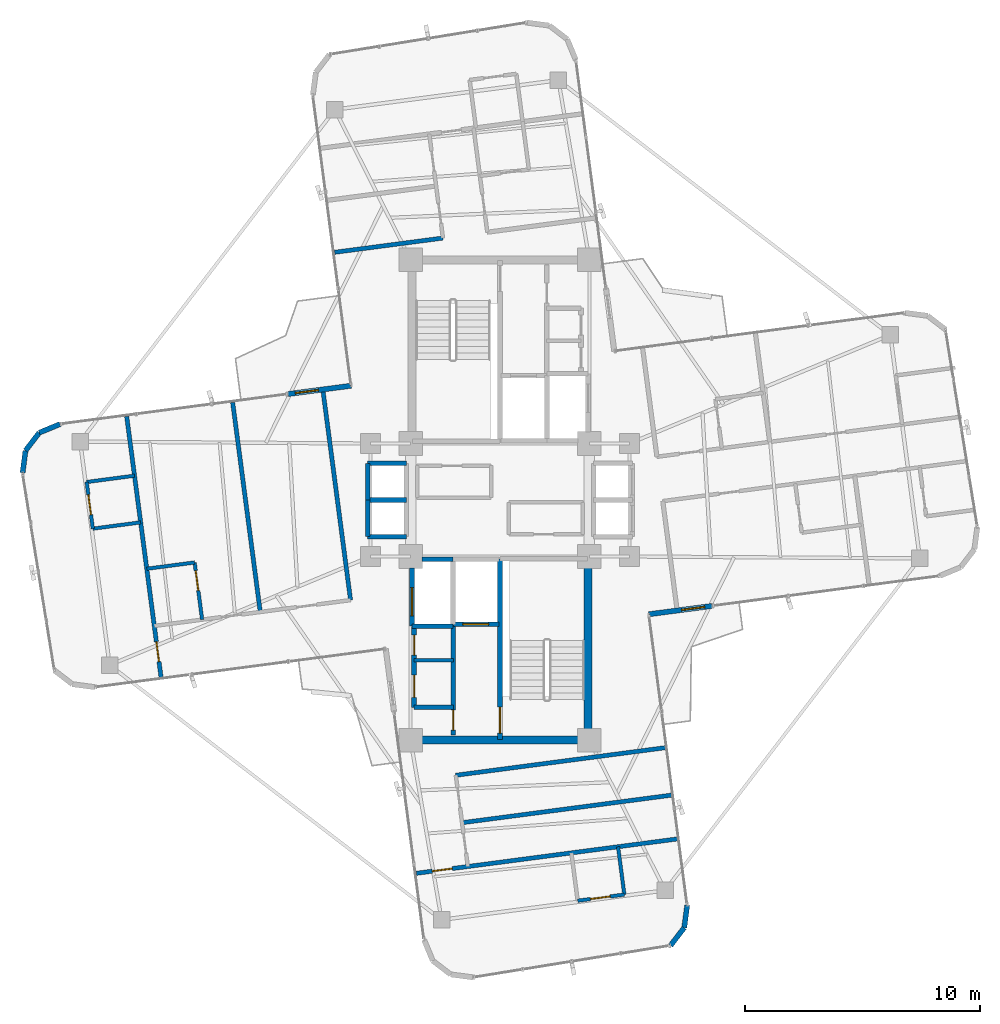
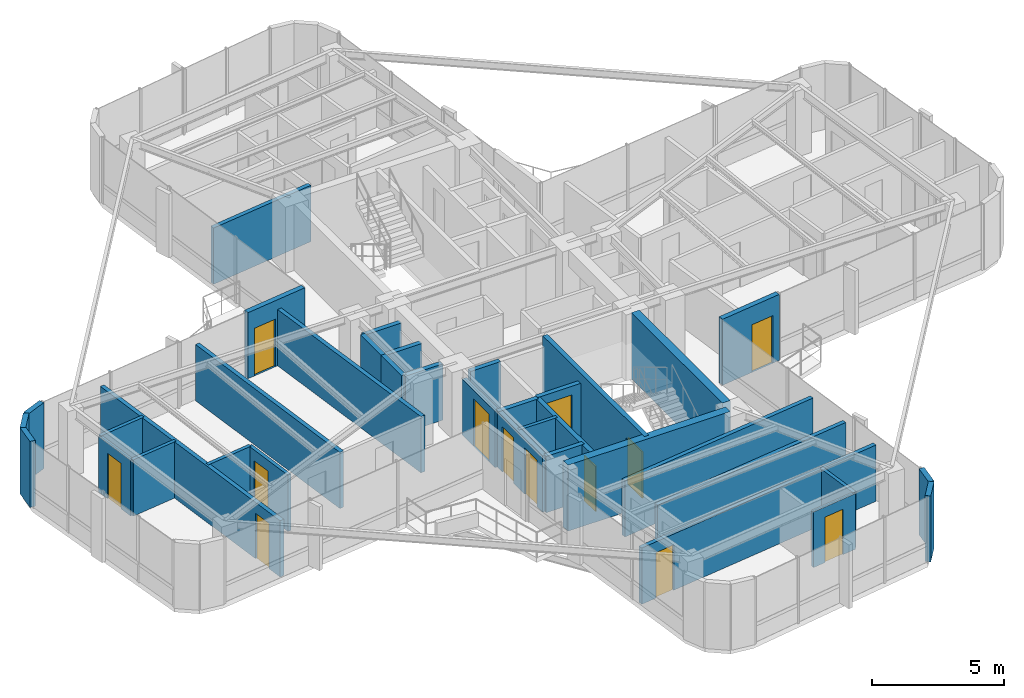
# One storey, part 19 of 23: 37 walls, 13 doors, 13 openings.
"""IFC4 building model written with IfcOpenShell, lengths in metres."""

from ifc_helpers import new_model, si_unit, direction, frame, frame_2d, origin, origin_2d, place, context, subcontext, project, spatial, rectangle, extrude, source, transform, mapped, material, layer, layer_set, type_object, element, fill, save


model = new_model("IFC4")

# Units and contexts
model_context = context("Model", 3, precision=1e-05, world=origin(), true_north=direction((0.0, 1.0)))
body_context = subcontext(model_context, "Body", "Model", "MODEL_VIEW")
ifc_project = project(units=[si_unit("LENGTHUNIT", "METRE"), si_unit("AREAUNIT", "SQUARE_METRE"), si_unit("VOLUMEUNIT", "CUBIC_METRE"), si_unit("PLANEANGLEUNIT", "RADIAN"), si_unit("MASSUNIT", "GRAM", prefix="KILO")], contexts=[model_context])

# Site, building, storey
site_placement = place(None, origin())
site = spatial("IfcSite", under=ifc_project, at=site_placement, CompositionType="ELEMENT")
building_placement = place(site_placement, origin())
building = spatial("IfcBuilding", under=site, at=building_placement, Name="Sahyath Konkavel Grand Hotel", CompositionType="ELEMENT")
storey_placement = place(building_placement, frame((0.0, 0.0, 226.60009765625)))
storey = spatial("IfcBuildingStorey", under=building, at=storey_placement, Name="L63", CompositionType="ELEMENT", Elevation=226.60009765625)

# Walls
ifc_material_1 = material(Name="Concrete C40/50", Category="concrete")
ifc_layer_1 = layer(ifc_material_1, 0.35009765625)
ifc_layer_set_1 = layer_set([ifc_layer_1], Name="Concrete C40/50")
wall_type_1 = type_object("IfcWallType", Name="CWALL-350", PredefinedType="SHEAR", material=ifc_layer_set_1)
wall_1_placement = place(storey_placement, frame((-3.550048828125, -10.199951171875, 0.0), z_axis=(0.0, 0.0, 1.0), x_axis=(1.0, 0.0, 0.0)))
element("IfcWall", 1, at=wall_1_placement, inside=storey, type_object=wall_type_1, Name="L63 South Core Shear Wall S", PredefinedType="SHEAR", context=body_context, shape_type="SweptSolid", body=[
    extrude(rectangle(XDim=7.10009765625, YDim=0.35009765625, at=frame_2d((3.550048828125, 0.0))), origin(), (0.0, 0.0, 1.0), 3.0498046875),
])
wall_2_placement = place(storey_placement, frame((3.739990234375, -9.75, 0.0), z_axis=(0.0, 0.0, 1.0), x_axis=(0.0, 1.0, 0.0)))
element("IfcWall", 2, at=wall_2_placement, inside=storey, type_object=wall_type_1, Name="L63 South Core Shear Wall E", PredefinedType="SHEAR", context=body_context, shape_type="SweptSolid", body=[
    extrude(rectangle(XDim=6.89990234375, YDim=0.35009765625, at=frame_2d((3.449951171875, 0.0))), origin(), (0.0, 0.0, 1.0), 3.0498046875),
])

# Wall, opening, door
ifc_material_2 = material(Name="Warm Buff Sandstone Insulated Concrete C40/50", Category="masonry")
ifc_layer_2 = layer(ifc_material_2, 0.219970703125)
ifc_layer_set_2 = layer_set([ifc_layer_2], Name="Warm Buff Sandstone Insulated Concrete C40/50")
wall_type_2 = type_object("IfcWallType", Name="WLL-BALC-THRESH", PredefinedType="STANDARD", material=ifc_layer_set_2)
wall_3_placement = place(storey_placement, frame((6.32568359375, -4.85400390625, 0.0), z_axis=(0.0, 0.0, 1.0), x_axis=(0.991439824936, 0.130564442062, 0.0)))
wall_3 = element("IfcWall", 3, at=wall_3_placement, inside=storey, type_object=wall_type_2, Name="L63 Winter-Garden Threshold Wall 0", PredefinedType="STANDARD", context=body_context, shape_type="SweptSolid", body=[
    extrude(rectangle(XDim=2.7001953125, YDim=0.219970703125, at=frame_2d((1.35009765625, 0.0))), origin(), (0.0, 0.0, 1.0), 3.0498046875),
])
opening_1_placement = place(wall_3_placement, frame((1.39990234375, 0.0, 0.0)))
opening_1 = element("IfcOpeningElement", 4, at=opening_1_placement, cuts=wall_3, Name="Opening D-TR1", PredefinedType="OPENING", context=body_context, shape_type="SweptSolid", body=[
    extrude(rectangle(XDim=1.0, YDim=2.199951171875, at=frame_2d((0.5, 1.10009765625))), frame((0.0, 0.1201171875, 0.0), z_axis=(0.0, -1.0, 0.0), x_axis=(1.0, 0.0, 0.0)), (0.0, 0.0, 1.0), 0.239990234375),
])
ifc_material_3 = material(Name="Anodised Bronze Aluminium & Low-E Glazing", Category="aluminium")
door_type_1 = type_object("IfcDoorType", Name="DR-TERRACE-1000", OperationType="NOTDEFINED", PredefinedType="DOOR", material=ifc_material_3)
shared_shape_1 = source(origin(), body_context, "Body", "SweptSolid", [
    extrude(rectangle(XDim=1.0, YDim=0.050048828125, at=origin_2d()), origin(), (0.0, 0.0, 1.0), 2.199951171875),
])
door_1_placement = place(opening_1_placement, frame((0.5, 0.0, 0.0)))
door_1 = element("IfcDoor", 5, at=door_1_placement, inside=storey, type_object=door_type_1, Name="L63 Winter-Garden Terrace Door 0", OperationType="SINGLE_SWING_LEFT", OverallHeight=2.199951171875, OverallWidth=1.0, PredefinedType="DOOR", context=body_context, shape_type="MappedRepresentation", body=[
    mapped(shared_shape_1, transform((0.0, 0.0, 0.0), scale=1.0)),
])
fill(opening_1, door_1)

wall_4_placement = place(storey_placement, frame((-6.32568359375, 4.85400390625, 0.0), z_axis=(0.0, 0.0, 1.0), x_axis=(-0.991439824936, -0.130564442062, 0.0)))
wall_4 = element("IfcWall", 6, at=wall_4_placement, inside=storey, type_object=wall_type_2, Name="L63 Winter-Garden Threshold Wall 16", PredefinedType="STANDARD", context=body_context, shape_type="SweptSolid", body=[
    extrude(rectangle(XDim=2.7001953125, YDim=0.219970703125, at=frame_2d((1.35009765625, 0.0))), origin(), (0.0, 0.0, 1.0), 3.0498046875),
])
opening_2_placement = place(wall_4_placement, frame((1.39990234375, 0.0, 0.0)))
opening_2 = element("IfcOpeningElement", 7, at=opening_2_placement, cuts=wall_4, Name="Opening D-TR1", PredefinedType="OPENING", context=body_context, shape_type="SweptSolid", body=[
    extrude(rectangle(XDim=1.0, YDim=2.199951171875, at=frame_2d((0.5, 1.10009765625))), frame((0.0, 0.1201171875, 0.0), z_axis=(0.0, -1.0, 0.0), x_axis=(1.0, 0.0, 0.0)), (0.0, 0.0, 1.0), 0.239990234375),
])
door_2_placement = place(opening_2_placement, frame((0.5, 0.0, 0.0)))
door_2 = element("IfcDoor", 8, at=door_2_placement, inside=storey, type_object=door_type_1, Name="L63 Winter-Garden Terrace Door 16", OperationType="SINGLE_SWING_LEFT", OverallHeight=2.199951171875, OverallWidth=1.0, PredefinedType="DOOR", context=body_context, shape_type="MappedRepresentation", body=[
    mapped(shared_shape_1, transform((0.0, 0.0, 0.0), scale=1.0)),
])
fill(opening_2, door_2)

# Walls
wall_5_placement = place(storey_placement, frame((-18.69091796875, 3.225830078125, 0.0), z_axis=(0.0, 0.0, 1.0), x_axis=(-0.923979554509, -0.382441868588, 0.0)))
element("IfcWall", 9, at=wall_5_placement, inside=storey, type_object=wall_type_2, Name="L63 Rounded Corner Sandstone Pier 17", PredefinedType="STANDARD", context=body_context, shape_type="SweptSolid", body=[
    extrude(rectangle(XDim=0.95751953125, YDim=0.219970703125, at=frame_2d((0.478759765625, 0.0))), origin(), (0.0, 0.0, 1.0), 3.0498046875),
])
wall_6_placement = place(storey_placement, frame((-19.57568359375, 2.859619140625, 0.0), z_axis=(0.0, 0.0, 1.0), x_axis=(-0.60865090536, -0.79343813584, 0.0)))
element("IfcWall", 10, at=wall_6_placement, inside=storey, type_object=wall_type_2, Name="L63 Rounded Corner Sandstone Pier 18", PredefinedType="STANDARD", context=body_context, shape_type="SweptSolid", body=[
    extrude(rectangle(XDim=0.957763671875, YDim=0.219970703125, at=frame_2d((0.47900390625, 0.0))), origin(), (0.0, 0.0, 1.0), 3.0498046875),
])
for number, where, z_axis, x_axis, name in (
    (11, (-20.15869140625, 2.099609375, 0.0), (0.0, 0.0, 1.0), (-0.13056005306, -0.991440402921, 0.0), "L63 Rounded Corner Sandstone Pier 19"),
    (12, (7.24560546875, -18.92822265625, 0.0), (0.0, 0.0, 1.0), (0.608897151398, 0.793249178392, 0.0), "L63 Rounded Corner Sandstone Pier 29"),
):
    element("IfcWall", number, at=place(storey_placement, frame(where, z_axis=z_axis, x_axis=x_axis)), inside=storey, type_object=wall_type_2, Name=name, PredefinedType="STANDARD", context=body_context, shape_type="SweptSolid", body=[
        extrude(rectangle(XDim=0.95751953125, YDim=0.219970703125, at=frame_2d((0.478759765625, 0.0))), origin(), (0.0, 0.0, 1.0), 3.0498046875),
    ])
wall_7_placement = place(storey_placement, frame((7.82861328125, -18.168701171875, 0.0), z_axis=(0.0, 0.0, 1.0), x_axis=(0.130527053476, 0.991444747987, 0.0)))
element("IfcWall", 13, at=wall_7_placement, inside=storey, type_object=wall_type_2, Name="L63 Rounded Corner Sandstone Pier 30", PredefinedType="STANDARD", context=body_context, shape_type="SweptSolid", body=[
    extrude(rectangle(XDim=0.957763671875, YDim=0.219970703125, at=frame_2d((0.47900390625, 0.0))), origin(), (0.0, 0.0, 1.0), 3.0498046875),
])

# Wall, opening, door
ifc_layer_3 = layer(ifc_material_1, 0.199951171875)
ifc_layer_set_3 = layer_set([ifc_layer_3], Name="Concrete C40/50")
wall_type_3 = type_object("IfcWallType", Name="WLL-CORE-200", PredefinedType="SOLIDWALL", material=ifc_layer_set_3)
wall_8_placement = place(storey_placement, frame((0.0, -10.179931640625, 0.0), z_axis=(0.0, 0.0, 1.0), x_axis=(0.0, 1.0, 0.0)))
wall_8 = element("IfcWall", 14, at=wall_8_placement, inside=storey, type_object=wall_type_3, Name="L63 Stair ST-2 Shaft Wall W", PredefinedType="SOLIDWALL", context=body_context, shape_type="SweptSolid", body=[
    extrude(rectangle(XDim=7.679931640625, YDim=0.199951171875, at=frame_2d((3.83984375, 0.0))), origin(), (0.0, 0.0, 1.0), 3.0498046875),
])
opening_3_placement = place(wall_8_placement, frame((0.280029296875, 0.0, 0.0)))
opening_3 = element("IfcOpeningElement", 15, at=opening_3_placement, cuts=wall_8, Name="Opening D-F12B", PredefinedType="OPENING", context=body_context, shape_type="SweptSolid", body=[
    extrude(rectangle(XDim=1.10009765625, YDim=2.14990234375, at=frame_2d((0.550048828125, 1.074951171875))), frame((0.0, 0.10986328125, 0.0), z_axis=(0.0, -1.0, 0.0), x_axis=(1.0, 0.0, 0.0)), (0.0, 0.0, 1.0), 0.219970703125),
])
ifc_material_4 = material(Name="Steel E350 Smokeproof Fire Door", Category="steel")
door_type_2 = type_object("IfcDoorType", Name="DR-FD120-1100", OperationType="NOTDEFINED", PredefinedType="DOOR", material=ifc_material_4)
shared_shape_2 = source(origin(), body_context, "Body", "SweptSolid", [
    extrude(rectangle(XDim=1.10009765625, YDim=0.050048828125, at=origin_2d()), origin(), (0.0, 0.0, 1.0), 2.14990234375),
])
door_3_placement = place(opening_3_placement, frame((0.550048828125, 0.0, 0.0)))
door_3 = element("IfcDoor", 16, at=door_3_placement, inside=storey, type_object=door_type_2, Name="L63 Stair ST-2 Fire Door", OperationType="SINGLE_SWING_RIGHT", OverallHeight=2.14990234375, OverallWidth=1.10009765625, PredefinedType="DOOR", context=body_context, shape_type="MappedRepresentation", body=[
    mapped(shared_shape_2, transform((0.0, 0.0, 0.0), scale=1.0)),
])
fill(opening_3, door_3)

wall_9_placement = place(storey_placement, frame((-1.97998046875, -9.97998046875, 0.0), z_axis=(0.0, 0.0, 1.0), x_axis=(0.0, 1.0, 0.0)))
wall_9 = element("IfcWall", 17, at=wall_9_placement, inside=storey, type_object=wall_type_3, Name="L63 South Firefighting Lobby Wall W", PredefinedType="SOLIDWALL", context=body_context, shape_type="SweptSolid", body=[
    extrude(rectangle(XDim=4.659912109375, YDim=0.199951171875, at=frame_2d((2.330078125, 0.0))), origin(), (0.0, 0.0, 1.0), 2.599853515625),
])
opening_4_placement = place(wall_9_placement, frame((0.199951171875, 0.0, 0.0)))
opening_4 = element("IfcOpeningElement", 18, at=opening_4_placement, cuts=wall_9, Name="Opening D-F12D", PredefinedType="OPENING", context=body_context, shape_type="SweptSolid", body=[
    extrude(rectangle(XDim=0.85009765625, YDim=2.10009765625, at=frame_2d((0.425048828125, 1.050048828125))), frame((0.0, 0.10986328125, 0.0), z_axis=(0.0, -1.0, 0.0), x_axis=(1.0, 0.0, 0.0)), (0.0, 0.0, 1.0), 0.219970703125),
])
ifc_material_5 = material(Name="Steel E350 Core Fire Door", Category="steel")
door_type_3 = type_object("IfcDoorType", Name="DR-FD120-850", OperationType="NOTDEFINED", PredefinedType="DOOR", material=ifc_material_5)
shared_shape_3 = source(origin(), body_context, "Body", "SweptSolid", [
    extrude(rectangle(XDim=0.85009765625, YDim=0.050048828125, at=origin_2d()), origin(), (0.0, 0.0, 1.0), 2.10009765625),
])
door_4_placement = place(opening_4_placement, frame((0.425048828125, 0.0, 0.0)))
door_4 = element("IfcDoor", 19, at=door_4_placement, inside=storey, type_object=door_type_3, Name="L63 South Firefighting Lobby Door", OperationType="SINGLE_SWING_RIGHT", OverallHeight=2.10009765625, OverallWidth=0.85009765625, PredefinedType="DOOR", context=body_context, shape_type="MappedRepresentation", body=[
    mapped(shared_shape_3, transform((0.0, 0.0, 0.0), scale=1.0)),
])
fill(opening_4, door_4)

wall_10_placement = place(storey_placement, frame((-1.97998046875, -5.280029296875, 0.0), z_axis=(0.0, 0.0, 1.0), x_axis=(1.0, 0.0, 0.0)))
wall_10 = element("IfcWall", 20, at=wall_10_placement, inside=storey, type_object=wall_type_3, Name="L63 Partition SH-FFL2-S", PredefinedType="SOLIDWALL", context=body_context, shape_type="SweptSolid", body=[
    extrude(rectangle(XDim=1.929931640625, YDim=0.199951171875, at=frame_2d((0.96484375, 0.0))), origin(), (0.0, 0.0, 1.0), 2.599853515625),
])
opening_5_placement = place(wall_10_placement, frame((0.39990234375, 0.0, 0.0)))
opening_5 = element("IfcOpeningElement", 21, at=opening_5_placement, cuts=wall_10, Name="Opening LD-11", PredefinedType="OPENING", context=body_context, shape_type="SweptSolid", body=[
    extrude(rectangle(XDim=1.10009765625, YDim=2.199951171875, at=frame_2d((0.550048828125, 1.10009765625))), frame((0.0, 0.10986328125, 0.0), z_axis=(0.0, -1.0, 0.0), x_axis=(1.0, 0.0, 0.0)), (0.0, 0.0, 1.0), 0.219970703125),
])
ifc_material_6 = material(Name="Bronze Lift Landing Door 1100")
door_type_4 = type_object("IfcDoorType", Name="DR-LIFT-1100", OperationType="DOUBLE_DOOR_SLIDING", PredefinedType="DOOR", material=ifc_material_6)
shared_shape_4 = source(origin(), body_context, "Body", "SweptSolid", [
    extrude(rectangle(XDim=1.10009765625, YDim=0.050048828125, at=origin_2d()), origin(), (0.0, 0.0, 1.0), 2.199951171875),
])
door_5_placement = place(opening_5_placement, frame((0.550048828125, 0.0, 0.0)))
door_5 = element("IfcDoor", 22, at=door_5_placement, inside=storey, type_object=door_type_4, Name="L63 Lift FFL-2 Landing Door", OperationType="DOUBLE_DOOR_SLIDING", OverallHeight=2.199951171875, OverallWidth=1.10009765625, PredefinedType="DOOR", context=body_context, shape_type="MappedRepresentation", body=[
    mapped(shared_shape_4, transform((0.0, 0.0, 0.0), scale=1.0)),
])
fill(opening_5, door_5)

# Walls
wall_11_placement = place(storey_placement, frame((-3.320068359375, -2.52001953125, 0.0), z_axis=(0.0, 0.0, 1.0), x_axis=(1.0, 0.0, 0.0)))
element("IfcWall", 23, at=wall_11_placement, inside=storey, type_object=wall_type_3, Name="L63 Partition SH-SVL2-N", PredefinedType="SOLIDWALL", context=body_context, shape_type="SweptSolid", body=[
    extrude(rectangle(XDim=1.320068359375, YDim=0.199951171875, at=frame_2d((0.66015625, 0.0))), origin(), (0.0, 0.0, 1.0), 2.599853515625),
])
wall_12_placement = place(storey_placement, frame((-3.739990234375, -5.360107421875, 0.0), z_axis=(0.0, 0.0, 1.0), x_axis=(1.0, 0.0, 0.0)))
element("IfcWall", 24, at=wall_12_placement, inside=storey, type_object=wall_type_3, Name="L63 Partition SH-SVL2-S", PredefinedType="SOLIDWALL", context=body_context, shape_type="SweptSolid", body=[
    extrude(rectangle(XDim=1.739990234375, YDim=0.199951171875, at=frame_2d((0.8701171875, 0.0))), origin(), (0.0, 0.0, 1.0), 2.599853515625),
])

# Wall, opening, door
wall_13_placement = place(storey_placement, frame((-3.739990234375, -5.360107421875, 0.0), z_axis=(0.0, 0.0, 1.0), x_axis=(0.0, 1.0, 0.0)))
wall_13 = element("IfcWall", 25, at=wall_13_placement, inside=storey, type_object=wall_type_3, Name="L63 Partition SH-SVL2-W", PredefinedType="SOLIDWALL", context=body_context, shape_type="SweptSolid", body=[
    extrude(rectangle(XDim=2.480224609375, YDim=0.199951171875, at=frame_2d((1.240234375, 0.0))), origin(), (0.0, 0.0, 1.0), 2.599853515625),
])
opening_6_placement = place(wall_13_placement, frame((0.43994140625, 0.0, 0.0)))
opening_6 = element("IfcOpeningElement", 26, at=opening_6_placement, cuts=wall_13, Name="Opening LD-12", PredefinedType="OPENING", context=body_context, shape_type="SweptSolid", body=[
    extrude(rectangle(XDim=1.199951171875, YDim=2.199951171875, at=frame_2d((0.60009765625, 1.10009765625))), frame((0.0, 0.10986328125, 0.0), z_axis=(0.0, -1.0, 0.0), x_axis=(1.0, 0.0, 0.0)), (0.0, 0.0, 1.0), 0.219970703125),
])
ifc_material_7 = material(Name="Stainless Steel Lift Landing Door 1200", Category="steel")
door_type_5 = type_object("IfcDoorType", Name="DR-LIFT-1200", OperationType="DOUBLE_DOOR_SLIDING", PredefinedType="DOOR", material=ifc_material_7)
shared_shape_5 = source(origin(), body_context, "Body", "SweptSolid", [
    extrude(rectangle(XDim=1.199951171875, YDim=0.050048828125, at=origin_2d()), origin(), (0.0, 0.0, 1.0), 2.199951171875),
])
door_6_placement = place(opening_6_placement, frame((0.60009765625, 0.0, 0.0)))
door_6 = element("IfcDoor", 27, at=door_6_placement, inside=storey, type_object=door_type_5, Name="L63 Service Lift SVL-2 Landing Door", OperationType="DOUBLE_DOOR_SLIDING", OverallHeight=2.199951171875, OverallWidth=1.199951171875, PredefinedType="DOOR", context=body_context, shape_type="MappedRepresentation", body=[
    mapped(shared_shape_5, transform((0.0, 0.0, 0.0), scale=1.0)),
])
fill(opening_6, door_6)

# Walls
for number, where, z_axis, x_axis, name in (
    (28, (-5.6201171875, 1.56005859375, 0.0), (0.0, 0.0, 1.0), (1.0, 0.0, 0.0), "L63 Partition SH-SL12-N"),
    (29, (-5.6201171875, -1.56005859375, 0.0), (0.0, 0.0, 1.0), (1.0, 0.0, 0.0), "L63 Partition SH-SL12-S"),
    (30, (-5.6201171875, 0.0, 0.0), (0.0, 0.0, 1.0), (1.0, 0.0, 0.0), "L63 Partition SH-SL12-M"),
):
    element("IfcWall", number, at=place(storey_placement, frame(where, z_axis=z_axis, x_axis=x_axis)), inside=storey, type_object=wall_type_3, Name=name, PredefinedType="SOLIDWALL", context=body_context, shape_type="SweptSolid", body=[
        extrude(rectangle(XDim=1.64013671875, YDim=0.199951171875, at=frame_2d((0.820068359375, 0.0))), origin(), (0.0, 0.0, 1.0), 2.599853515625),
    ])
for number, where, z_axis, x_axis, name in (
    (31, (-5.6201171875, 0.0, 0.0), (0.0, 0.0, 1.0), (0.0, 1.0, 0.0), "L63 Partition SH-SL1-W"),
    (32, (-5.6201171875, -1.56005859375, 0.0), (0.0, 0.0, 1.0), (0.0, 1.0, 0.0), "L63 Partition SH-SL2-W"),
):
    element("IfcWall", number, at=place(storey_placement, frame(where, z_axis=z_axis, x_axis=x_axis)), inside=storey, type_object=wall_type_3, Name=name, PredefinedType="SOLIDWALL", context=body_context, shape_type="SweptSolid", body=[
        extrude(rectangle(XDim=1.56005859375, YDim=0.199951171875, at=frame_2d((0.780029296875, 0.0))), origin(), (0.0, 0.0, 1.0), 2.599853515625),
    ])

# Wall, openings, doors
wall_14_placement = place(storey_placement, frame((-3.64990234375, -8.81005859375, 0.0), z_axis=(0.0, 0.0, 1.0), x_axis=(0.0, 1.0, 0.0)))
wall_14 = element("IfcWall", 33, at=wall_14_placement, inside=storey, type_object=wall_type_3, Name="L63 Reclaimed South Core Wall W", PredefinedType="SOLIDWALL", context=body_context, shape_type="SweptSolid", body=[
    extrude(rectangle(XDim=3.43017578125, YDim=0.199951171875, at=frame_2d((1.715087890625, 0.0))), origin(), (0.0, 0.0, 1.0), 2.599853515625),
])
opening_7_placement = place(wall_14_placement, frame((0.419921875, 0.0, 0.0)))
opening_7 = element("IfcOpeningElement", 34, at=opening_7_placement, cuts=wall_14, Name="Opening D-AC95", PredefinedType="OPENING", context=body_context, shape_type="SweptSolid", body=[
    extrude(rectangle(XDim=0.949951171875, YDim=2.14990234375, at=frame_2d((0.47509765625, 1.074951171875))), frame((0.0, 0.10986328125, 0.0), z_axis=(0.0, -1.0, 0.0), x_axis=(1.0, 0.0, 0.0)), (0.0, 0.0, 1.0), 0.219970703125),
])
opening_8_placement = place(wall_14_placement, frame((2.219970703125, 0.0, 0.0)))
opening_8 = element("IfcOpeningElement", 35, at=opening_8_placement, cuts=wall_14, Name="Opening D-F06D", PredefinedType="OPENING", context=body_context, shape_type="SweptSolid", body=[
    extrude(rectangle(XDim=0.85009765625, YDim=2.10009765625, at=frame_2d((0.425048828125, 1.050048828125))), frame((0.0, 0.10986328125, 0.0), z_axis=(0.0, -1.0, 0.0), x_axis=(1.0, 0.0, 0.0)), (0.0, 0.0, 1.0), 0.219970703125),
])
ifc_material_8 = material(Name="Accessible Washroom Timber Door", Category="wood")
door_type_6 = type_object("IfcDoorType", Name="DR-ACC-950", OperationType="NOTDEFINED", PredefinedType="DOOR", material=ifc_material_8)
shared_shape_6 = source(origin(), body_context, "Body", "SweptSolid", [
    extrude(rectangle(XDim=0.949951171875, YDim=0.050048828125, at=origin_2d()), origin(), (0.0, 0.0, 1.0), 2.14990234375),
])
door_7_placement = place(opening_7_placement, frame((0.47509765625, 0.0, 0.0)))
door_7 = element("IfcDoor", 36, at=door_7_placement, inside=storey, type_object=door_type_6, Name="L63 Door SC-REC1-D", OperationType="SINGLE_SWING_LEFT", OverallHeight=2.14990234375, OverallWidth=0.949951171875, PredefinedType="DOOR", context=body_context, shape_type="MappedRepresentation", body=[
    mapped(shared_shape_6, transform((0.0, 0.0, 0.0), scale=1.0)),
])
fill(opening_7, door_7)
ifc_material_9 = material(Name="Fire-Rated Shaft Access Door")
door_type_7 = type_object("IfcDoorType", Name="DR-FD60-850", OperationType="NOTDEFINED", PredefinedType="DOOR", material=ifc_material_9)
door_8_placement = place(opening_8_placement, frame((0.425048828125, 0.0, 0.0)))
door_8 = element("IfcDoor", 37, at=door_8_placement, inside=storey, type_object=door_type_7, Name="L63 Door SC-REC2-D", OperationType="SINGLE_SWING_RIGHT", OverallHeight=2.10009765625, OverallWidth=0.85009765625, PredefinedType="DOOR", context=body_context, shape_type="MappedRepresentation", body=[
    mapped(shared_shape_3, transform((0.0, 0.0, 0.0), scale=1.0)),
])
fill(opening_8, door_8)

# Walls
wall_15_placement = place(storey_placement, frame((-3.64990234375, -8.81005859375, 0.0), z_axis=(0.0, 0.0, 1.0), x_axis=(1.0, 0.0, 0.0)))
element("IfcWall", 38, at=wall_15_placement, inside=storey, type_object=wall_type_3, Name="L63 Partition SC-REC-S", PredefinedType="SOLIDWALL", context=body_context, shape_type="SweptSolid", body=[
    extrude(rectangle(XDim=1.669921875, YDim=0.199951171875, at=frame_2d((0.8349609375, 0.0))), origin(), (0.0, 0.0, 1.0), 2.599853515625),
])
ifc_material_10 = material(Name="Twin-Stud Acoustic Gypsum Plasterboard Partition")
ifc_layer_4 = layer(ifc_material_10, 0.179931640625)
ifc_layer_set_4 = layer_set([ifc_layer_4], Name="Twin-Stud Acoustic Gypsum Plasterboard Partition")
wall_type_4 = type_object("IfcWallType", Name="WLL-DEMISE-180", PredefinedType="PARTITIONING", material=ifc_layer_set_4)
wall_16_placement = place(storey_placement, frame((-2.42333984375, 11.12890625, 0.0), z_axis=(0.0, 0.0, 1.0), x_axis=(-0.991442645947, -0.130543018951, 0.0)))
element("IfcWall", 39, at=wall_16_placement, inside=storey, type_object=wall_type_4, Name="L63 Partition N-INL", PredefinedType="PARTITIONING", context=body_context, shape_type="SweptSolid", body=[
    extrude(rectangle(XDim=4.63818359375, YDim=0.179931640625, at=frame_2d((2.319091796875, 0.0))), origin(), (0.0, 0.0, 1.0), 2.599853515625),
])
for number, where, z_axis, x_axis, name in (
    (40, (-7.520751953125, 4.64599609375, 0.0), (0.0, 0.0, 1.0), (0.130529796508, -0.991444386854, 0.0), "L63 Partition W-G5I"),
    (41, (-10.18505859375, -4.758056640625, 0.0), (0.0, 0.0, 1.0), (-0.130529796508, 0.991444386854, 0.0), "L63 Partition W-WD1-DEM"),
):
    element("IfcWall", number, at=place(storey_placement, frame(where, z_axis=z_axis, x_axis=x_axis)), inside=storey, type_object=wall_type_4, Name=name, PredefinedType="PARTITIONING", context=body_context, shape_type="SweptSolid", body=[
        extrude(rectangle(XDim=8.97607421875, YDim=0.179931640625, at=frame_2d((4.488037109375, 0.0))), origin(), (0.0, 0.0, 1.0), 2.599853515625),
    ])

# Wall, opening, door
wall_17_placement = place(storey_placement, frame((-15.85888671875, 3.54833984375, 0.0), z_axis=(0.0, 0.0, 1.0), x_axis=(0.130525148566, -0.991444998773, 0.0)))
wall_17 = element("IfcWall", 42, at=wall_17_placement, inside=storey, type_object=wall_type_4, Name="L63 Partition W-WTIP-END", PredefinedType="PARTITIONING", context=body_context, shape_type="SweptSolid", body=[
    extrude(rectangle(XDim=11.176025390625, YDim=0.179931640625, at=frame_2d((5.587890625, 0.0))), origin(), (0.0, 0.0, 1.0), 2.599853515625),
])
opening_9_placement = place(wall_17_placement, frame((9.65087890625, 0.0, 0.0)))
opening_9 = element("IfcOpeningElement", 43, at=opening_9_placement, cuts=wall_17, Name="Opening D-F06D", PredefinedType="OPENING", context=body_context, shape_type="SweptSolid", body=[
    extrude(rectangle(XDim=0.85009765625, YDim=2.10009765625, at=frame_2d((0.425048828125, 1.050048828125))), frame((0.0, 0.10009765625, 0.0), z_axis=(0.0, -1.0, 0.0), x_axis=(1.0, 0.0, 0.0)), (0.0, 0.0, 1.0), 0.199951171875),
])
door_9_placement = place(opening_9_placement, frame((0.425048828125, 0.0, 0.0)))
door_9 = element("IfcDoor", 44, at=door_9_placement, inside=storey, type_object=door_type_7, Name="L63 Door W-WTIP-ED", OperationType="SINGLE_SWING_LEFT", OverallHeight=2.10009765625, OverallWidth=0.85009765625, PredefinedType="DOOR", context=body_context, shape_type="MappedRepresentation", body=[
    mapped(shared_shape_3, transform((0.0, 0.0, 0.0), scale=1.0)),
])
fill(opening_9, door_9)

# Walls
wall_18_placement = place(storey_placement, frame((-1.87744140625, -11.695068359375, 0.0), z_axis=(0.0, 0.0, 1.0), x_axis=(0.991444386854, 0.130529796508, 0.0)))
element("IfcWall", 45, at=wall_18_placement, inside=storey, type_object=wall_type_4, Name="L63 Partition S-G6I", PredefinedType="PARTITIONING", context=body_context, shape_type="SweptSolid", body=[
    extrude(rectangle(XDim=8.97607421875, YDim=0.179931640625, at=frame_2d((4.488037109375, 0.0))), origin(), (0.0, 0.0, 1.0), 2.599853515625),
])
wall_19_placement = place(storey_placement, frame((-1.6123046875, -13.710693359375, 0.0), z_axis=(0.0, 0.0, 1.0), x_axis=(0.991444850259, 0.130526276648, 0.0)))
element("IfcWall", 46, at=wall_19_placement, inside=storey, type_object=wall_type_4, Name="L63 Partition S-SSL6-DEM", PredefinedType="PARTITIONING", context=body_context, shape_type="SweptSolid", body=[
    extrude(rectangle(XDim=8.976318359375, YDim=0.179931640625, at=frame_2d((4.48828125, 0.0))), origin(), (0.0, 0.0, 1.0), 2.599853515625),
])

# Wall, opening, door
wall_20_placement = place(storey_placement, frame((-3.54833984375, -15.85888671875, 0.0), z_axis=(0.0, 0.0, 1.0), x_axis=(0.991444998773, 0.130525148566, 0.0)))
wall_20 = element("IfcWall", 47, at=wall_20_placement, inside=storey, type_object=wall_type_4, Name="L63 Partition S-STIP-END", PredefinedType="PARTITIONING", context=body_context, shape_type="SweptSolid", body=[
    extrude(rectangle(XDim=11.176025390625, YDim=0.179931640625, at=frame_2d((5.587890625, 0.0))), origin(), (0.0, 0.0, 1.0), 2.599853515625),
])
opening_10_placement = place(wall_20_placement, frame((0.675048828125, 0.0, 0.0)))
opening_10 = element("IfcOpeningElement", 48, at=opening_10_placement, cuts=wall_20, Name="Opening D-F06D", PredefinedType="OPENING", context=body_context, shape_type="SweptSolid", body=[
    extrude(rectangle(XDim=0.85009765625, YDim=2.10009765625, at=frame_2d((0.425048828125, 1.050048828125))), frame((0.0, 0.10009765625, 0.0), z_axis=(0.0, -1.0, 0.0), x_axis=(1.0, 0.0, 0.0)), (0.0, 0.0, 1.0), 0.199951171875),
])
door_10_placement = place(opening_10_placement, frame((0.425048828125, 0.0, 0.0)))
door_10 = element("IfcDoor", 49, at=door_10_placement, inside=storey, type_object=door_type_7, Name="L63 Door S-STIP-ED", OperationType="SINGLE_SWING_LEFT", OverallHeight=2.10009765625, OverallWidth=0.85009765625, PredefinedType="DOOR", context=body_context, shape_type="MappedRepresentation", body=[
    mapped(shared_shape_3, transform((0.0, 0.0, 0.0), scale=1.0)),
])
fill(opening_10, door_10)

# Wall
ifc_material_11 = material(Name="Fire-Rated Gypsum Plasterboard Partition")
ifc_layer_5 = layer(ifc_material_11, 0.14990234375)
ifc_layer_set_5 = layer_set([ifc_layer_5], Name="Fire-Rated Gypsum Plasterboard Partition")
wall_type_5 = type_object("IfcWallType", Name="WLL-PART-150", PredefinedType="PARTITIONING", material=ifc_layer_set_5)
wall_21_placement = place(storey_placement, frame((-3.64990234375, -6.81005859375, 0.0), z_axis=(0.0, 0.0, 1.0), x_axis=(1.0, 0.0, 0.0)))
element("IfcWall", 50, at=wall_21_placement, inside=storey, type_object=wall_type_5, Name="L63 Partition SC-REC-M1", PredefinedType="PARTITIONING", context=body_context, shape_type="SweptSolid", body=[
    extrude(rectangle(XDim=1.669921875, YDim=0.14990234375, at=frame_2d((0.8349609375, 0.0))), origin(), (0.0, 0.0, 1.0), 2.599853515625),
])

# Wall, opening, door
wall_22_placement = place(storey_placement, frame((-12.65478515625, -5.083251953125, 0.0), z_axis=(0.0, 0.0, 1.0), x_axis=(-0.130544735166, 0.991442419972, 0.0)))
wall_22 = element("IfcWall", 51, at=wall_22_placement, inside=storey, type_object=wall_type_5, Name="L63 Partition W-WD2-BS", PredefinedType="PARTITIONING", context=body_context, shape_type="SweptSolid", body=[
    extrude(rectangle(XDim=2.449951171875, YDim=0.14990234375, at=frame_2d((1.22509765625, 0.0))), origin(), (0.0, 0.0, 1.0), 2.599853515625),
])
opening_11_placement = place(wall_22_placement, frame((1.25, 0.0, 0.0)))
opening_11 = element("IfcOpeningElement", 52, at=opening_11_placement, cuts=wall_22, Name="Opening D-BT85", PredefinedType="OPENING", context=body_context, shape_type="SweptSolid", body=[
    extrude(rectangle(XDim=0.85009765625, YDim=2.10009765625, at=frame_2d((0.425048828125, 1.050048828125))), frame((0.0, 0.0849609375, 0.0), z_axis=(0.0, -1.0, 0.0), x_axis=(1.0, 0.0, 0.0)), (0.0, 0.0, 1.0), 0.169921875),
])
ifc_material_12 = material(Name="Moisture-Resistant Teak Bathroom Door")
door_type_8 = type_object("IfcDoorType", Name="DR-BATH-850", OperationType="NOTDEFINED", PredefinedType="DOOR", material=ifc_material_12)
door_11_placement = place(opening_11_placement, frame((0.425048828125, 0.0, 0.0)))
door_11 = element("IfcDoor", 53, at=door_11_placement, inside=storey, type_object=door_type_8, Name="L63 Door W-WD2-BD", OperationType="SINGLE_SWING_RIGHT", OverallHeight=2.10009765625, OverallWidth=0.85009765625, PredefinedType="DOOR", context=body_context, shape_type="MappedRepresentation", body=[
    mapped(shared_shape_3, transform((0.0, 0.0, 0.0), scale=1.0)),
])
fill(opening_11, door_11)

# Walls
for number, where, z_axis, x_axis, name in (
    (54, (-12.974609375, -2.654296875, 0.0), (0.0, 0.0, 1.0), (-0.991444969909, -0.13052536781, 0.0), "L63 Partition W-WD2-BF"),
    (55, (-15.2666015625, -0.95068359375, 0.0), (0.0, 0.0, 1.0), (-0.991429551631, -0.130642428605, 0.0), "L63 Partition W-WTIP-BN"),
    (56, (-15.527587890625, 1.031982421875, 0.0), (0.0, 0.0, 1.0), (-0.991444969909, -0.13052536781, 0.0), "L63 Partition W-WTIP-BS"),
):
    element("IfcWall", number, at=place(storey_placement, frame(where, z_axis=z_axis, x_axis=x_axis)), inside=storey, type_object=wall_type_5, Name=name, PredefinedType="PARTITIONING", context=body_context, shape_type="SweptSolid", body=[
        extrude(rectangle(XDim=2.050048828125, YDim=0.14990234375, at=frame_2d((1.02490234375, 0.0))), origin(), (0.0, 0.0, 1.0), 2.599853515625),
    ])

# Wall, opening, door
wall_23_placement = place(storey_placement, frame((-17.56005859375, 0.764404296875, 0.0), z_axis=(0.0, 0.0, 1.0), x_axis=(0.130492404742, -0.991449308994, 0.0)))
wall_23 = element("IfcWall", 57, at=wall_23_placement, inside=storey, type_object=wall_type_5, Name="L63 Partition W-WTIP-BE", PredefinedType="PARTITIONING", context=body_context, shape_type="SweptSolid", body=[
    extrude(rectangle(XDim=2.0, YDim=0.14990234375, at=frame_2d((1.0, 0.0))), origin(), (0.0, 0.0, 1.0), 2.56982421875),
])
opening_12_placement = place(wall_23_placement, frame((0.550048828125, 0.0, 0.0)))
opening_12 = element("IfcOpeningElement", 58, at=opening_12_placement, cuts=wall_23, Name="Opening D-BT85", PredefinedType="OPENING", context=body_context, shape_type="SweptSolid", body=[
    extrude(rectangle(XDim=0.85009765625, YDim=2.10009765625, at=frame_2d((0.425048828125, 1.050048828125))), frame((0.0, 0.0849609375, 0.0), z_axis=(0.0, -1.0, 0.0), x_axis=(1.0, 0.0, 0.0)), (0.0, 0.0, 1.0), 0.169921875),
])
door_12_placement = place(opening_12_placement, frame((0.425048828125, 0.0, 0.0)))
door_12 = element("IfcDoor", 59, at=door_12_placement, inside=storey, type_object=door_type_8, Name="L63 Door W-WTIP-BD", OperationType="SINGLE_SWING_RIGHT", OverallHeight=2.10009765625, OverallWidth=0.85009765625, PredefinedType="DOOR", context=body_context, shape_type="MappedRepresentation", body=[
    mapped(shared_shape_3, transform((0.0, 0.0, 0.0), scale=1.0)),
])
fill(opening_12, door_12)

# Wall
wall_24_placement = place(storey_placement, frame((5.015625, -14.731201171875, 0.0), z_axis=(0.0, 0.0, 1.0), x_axis=(0.130509958008, -0.991446998513, 0.0)))
element("IfcWall", 60, at=wall_24_placement, inside=storey, type_object=wall_type_5, Name="L63 Partition S-STIP-BN", PredefinedType="PARTITIONING", context=body_context, shape_type="SweptSolid", body=[
    extrude(rectangle(XDim=2.05029296875, YDim=0.14990234375, at=frame_2d((1.025146484375, 0.0))), origin(), (0.0, 0.0, 1.0), 2.599853515625),
])

# Wall, opening, door
wall_25_placement = place(storey_placement, frame((3.30029296875, -17.02490234375, 0.0), z_axis=(0.0, 0.0, 1.0), x_axis=(0.991449308994, 0.130492404742, 0.0)))
wall_25 = element("IfcWall", 61, at=wall_25_placement, inside=storey, type_object=wall_type_5, Name="L63 Partition S-STIP-BE", PredefinedType="PARTITIONING", context=body_context, shape_type="SweptSolid", body=[
    extrude(rectangle(XDim=2.0, YDim=0.14990234375, at=frame_2d((1.0, 0.0))), origin(), (0.0, 0.0, 1.0), 2.56982421875),
])
opening_13_placement = place(wall_25_placement, frame((0.550048828125, 0.0, 0.0)))
opening_13 = element("IfcOpeningElement", 62, at=opening_13_placement, cuts=wall_25, Name="Opening D-BT85", PredefinedType="OPENING", context=body_context, shape_type="SweptSolid", body=[
    extrude(rectangle(XDim=0.85009765625, YDim=2.10009765625, at=frame_2d((0.425048828125, 1.050048828125))), frame((0.0, 0.0849609375, 0.0), z_axis=(0.0, -1.0, 0.0), x_axis=(1.0, 0.0, 0.0)), (0.0, 0.0, 1.0), 0.169921875),
])
door_13_placement = place(opening_13_placement, frame((0.425048828125, 0.0, 0.0)))
door_13 = element("IfcDoor", 63, at=door_13_placement, inside=storey, type_object=door_type_8, Name="L63 Door S-STIP-BD", OperationType="SINGLE_SWING_RIGHT", OverallHeight=2.10009765625, OverallWidth=0.85009765625, PredefinedType="DOOR", context=body_context, shape_type="MappedRepresentation", body=[
    mapped(shared_shape_3, transform((0.0, 0.0, 0.0), scale=1.0)),
])
fill(opening_13, door_13)

save(model, "model.ifc")
